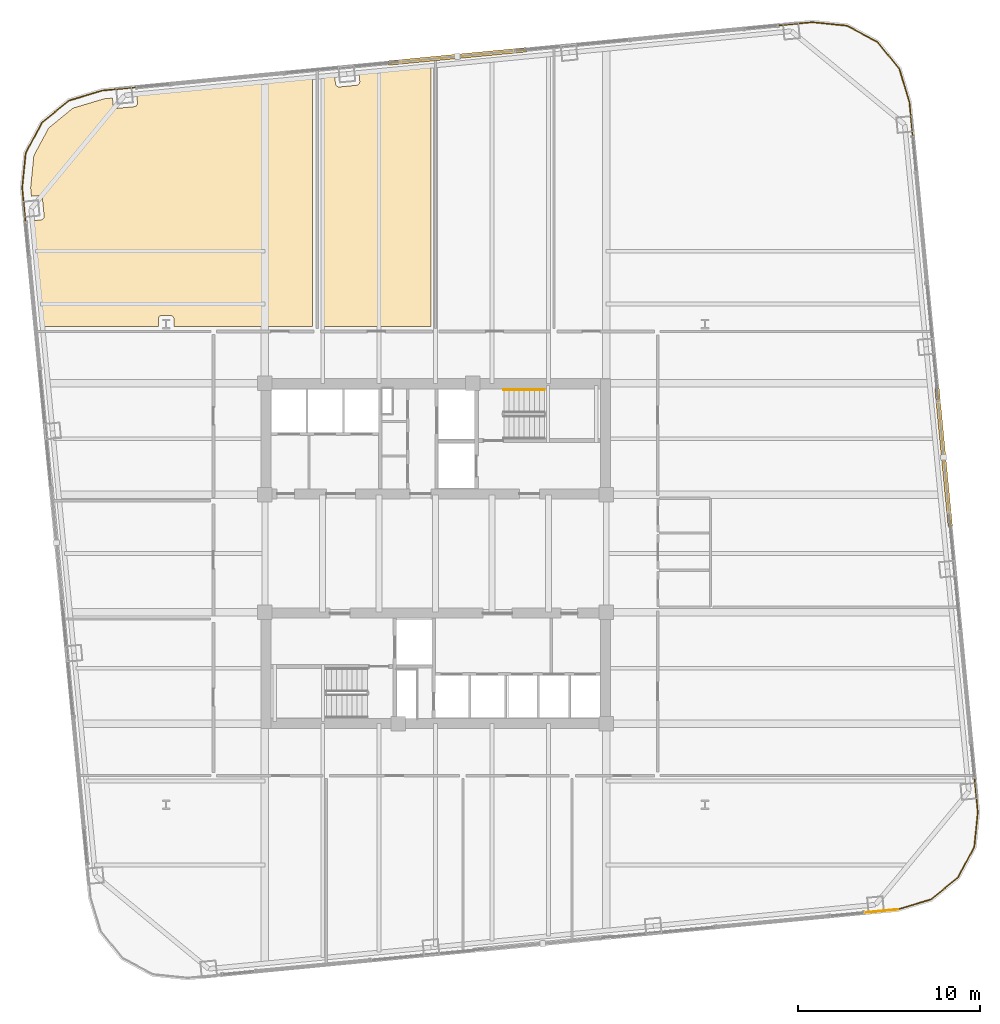
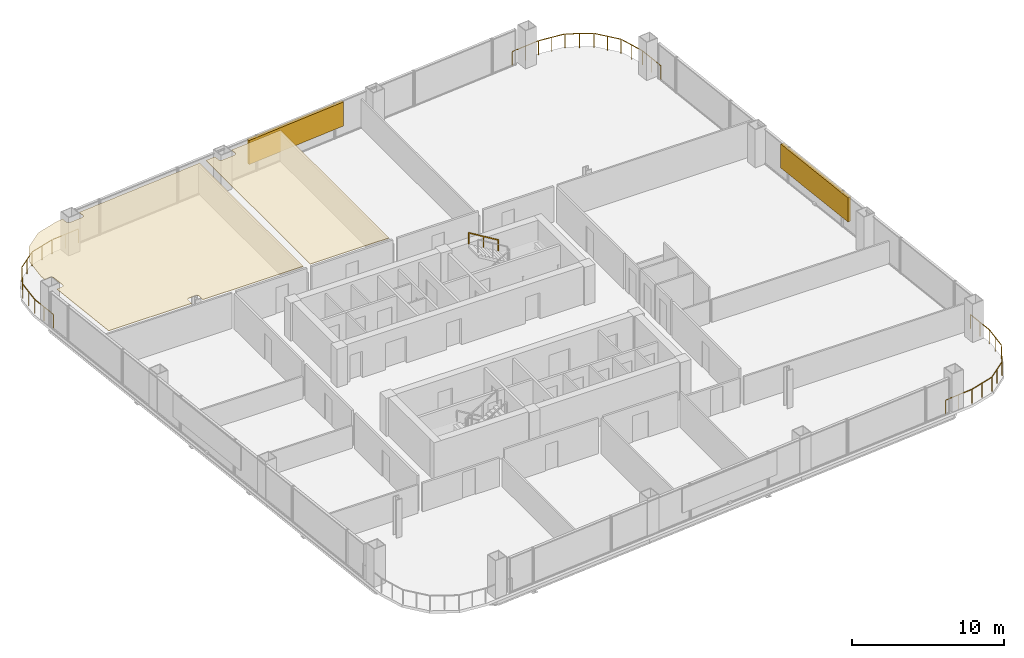
# One storey, part 28 of 28: 5 railings, 2 coverings, 2 shading devices.
"""IFC4 building model written with IfcOpenShell, lengths in metres."""

import ifcopenshell
import ifcopenshell.guid

model = None  # the IFC model being written
_history = None  # IfcOwnerHistory: only IFC2X3 demands one
_inside = {}  # id of a spatial element -> (the spatial element, [elements in it])
_under = {}  # id of a project, library or spatial element -> (it, [spatial elements below it])
_declared = {}  # id of a project -> (the project, [libraries it declares])
_typed = {}  # id of a type object -> (the type object, [elements of that type])
_made_of = {}  # id of a material, layer set ... -> (it, [elements and type objects made of it])


def new_model(schema):
    """Start an empty IFC model of exactly this schema.

    Asked for "IFC4X3", IfcOpenShell would pick the latest addendum, in which some entities
    have other attributes; the version numbers below select the first issue.
    IFC2X3 requires an IfcOwnerHistory on every rooted entity: one is made here for all.
    """
    global model, _history
    if schema == "IFC4X3":
        model = ifcopenshell.file(schema_version=(4, 3, 0, 0))
    else:
        model = ifcopenshell.file(schema=schema)
    _inside.clear()
    _under.clear()
    _declared.clear()
    _typed.clear()
    _made_of.clear()
    _history = None
    if model.schema == "IFC2X3":
        org = make("IfcOrganization", Name="unknown")
        user = make(
            "IfcPersonAndOrganization",
            ThePerson=make("IfcPerson", FamilyName="unknown"),
            TheOrganization=org,
        )
        app = make(
            "IfcApplication",
            ApplicationDeveloper=org,
            Version="unknown",
            ApplicationFullName="unknown",
            ApplicationIdentifier="unknown",
        )
        _history = make(
            "IfcOwnerHistory",
            OwningUser=user,
            OwningApplication=app,
            ChangeAction="ADDED",
            CreationDate=0,
        )
    return model


def make(cls, **values):
    """One entity of the class cls with the attributes given. An attribute that is None is left unset."""
    return model.create_entity(
        cls, **{name: value for name, value in values.items() if value is not None}
    )


def rooted(cls, **values):
    """An entity with a GlobalId (a new one), such as an element, a storey or a relation."""
    return make(cls, GlobalId=ifcopenshell.guid.new(), OwnerHistory=_history, **values)


def si_unit(unit_type, name, prefix=None):
    """IfcSIUnit, for example si_unit("LENGTHUNIT", "METRE", prefix="MILLI")."""
    return make("IfcSIUnit", UnitType=unit_type, Prefix=prefix, Name=name)


def assignment(units):
    """IfcUnitAssignment: the units of a project."""
    return None if units is None else make("IfcUnitAssignment", Units=units)


def point(xyz):
    """IfcCartesianPoint."""
    return None if xyz is None else make("IfcCartesianPoint", Coordinates=xyz)


def direction(xyz):
    """IfcDirection."""
    return None if xyz is None else make("IfcDirection", DirectionRatios=xyz)


def frame(location, z_axis=None, x_axis=None):
    """IfcAxis2Placement3D, a coordinate frame: its origin and axes. An axis left out is left unset."""
    return make(
        "IfcAxis2Placement3D",
        Location=point(location),
        Axis=direction(z_axis),
        RefDirection=direction(x_axis),
    )


def frame_2d(location, x_axis=None):
    """IfcAxis2Placement2D, a coordinate frame in the plane: its origin and x axis."""
    return make(
        "IfcAxis2Placement2D", Location=point(location), RefDirection=direction(x_axis)
    )


def origin():
    """The frame at (0, 0, 0) with its axes left unset."""
    return frame((0.0, 0.0, 0.0))


def origin_2d():
    """The frame at (0, 0) in the plane with its x axis left unset."""
    return frame_2d((0.0, 0.0))


def place(relative_to, where):
    """IfcLocalPlacement: puts the frame where relative to a parent placement (None: the world)."""
    return make(
        "IfcLocalPlacement", PlacementRelTo=relative_to, RelativePlacement=where
    )


def context(
    kind, dimensions, precision=None, world=None, true_north=None, identifier=None
):
    """IfcGeometricRepresentationContext, for example the 3D "Model" context."""
    return make(
        "IfcGeometricRepresentationContext",
        ContextIdentifier=identifier,
        ContextType=kind,
        CoordinateSpaceDimension=dimensions,
        Precision=precision,
        WorldCoordinateSystem=world,
        TrueNorth=true_north,
    )


def subcontext(parent, identifier, kind, view, scale=None):
    """IfcGeometricRepresentationSubContext, for example "Body" below "Model"."""
    return make(
        "IfcGeometricRepresentationSubContext",
        ContextIdentifier=identifier,
        ContextType=kind,
        ParentContext=parent,
        TargetScale=scale,
        TargetView=view,
    )


def project(units=None, contexts=None):
    """IfcProject with its units and contexts."""
    return rooted(
        "IfcProject",
        Name="project",
        RepresentationContexts=contexts,
        UnitsInContext=assignment(units),
    )


def spatial(cls, under=None, at=None, **own):
    """A site, building, storey or space (cls), placed at a placement, below another one or the project."""
    s = rooted(cls, ObjectPlacement=at, **own)
    if under is not None:
        _under.setdefault(under.id(), (under, []))[1].append(s)
    return s


def polyline(points):
    """IfcPolyline through the points."""
    return make("IfcPolyline", Points=[point(p) for p in points])


def profile(cls, at=None, kind="AREA", **sizes):
    """A parametric profile (cls). Its sizes go by their IFC names, for example OverallWidth=200.0."""
    return make(cls, ProfileType=kind, Position=at, **sizes)


def rectangle(**sizes):
    """IfcRectangleProfileDef."""
    return profile("IfcRectangleProfileDef", **sizes)


def outline(outer, holes=None, kind="AREA"):
    """IfcArbitraryClosedProfileDef: a profile drawn as a closed curve; with holes, ...WithVoids."""
    if holes is None:
        return make("IfcArbitraryClosedProfileDef", ProfileType=kind, OuterCurve=outer)
    return make(
        "IfcArbitraryProfileDefWithVoids",
        ProfileType=kind,
        OuterCurve=outer,
        InnerCurves=holes,
    )


def extrude(swept, where, along, depth):
    """IfcExtrudedAreaSolid: the profile swept, set in the frame where, extruded along a direction by depth."""
    return make(
        "IfcExtrudedAreaSolid",
        SweptArea=swept,
        Position=where,
        ExtrudedDirection=direction(along),
        Depth=depth,
    )


def shape(context_of_items, identifier, shape_type, items):
    """IfcShapeRepresentation: the items that make up one representation, for example the "Body"."""
    return make(
        "IfcShapeRepresentation",
        ContextOfItems=context_of_items,
        RepresentationIdentifier=identifier,
        RepresentationType=shape_type,
        Items=items,
    )


def material(Name=None, Category=None):
    """IfcMaterial."""
    return make("IfcMaterial", Name=Name, Category=Category)


def layer(
    of_material, thickness, ventilated=None, Name=None, Category=None, Priority=None
):
    """IfcMaterialLayer: one layer of a wall or slab, of a material (None: an air gap)."""
    return make(
        "IfcMaterialLayer",
        Material=of_material,
        LayerThickness=thickness,
        IsVentilated=ventilated,
        Name=Name,
        Category=Category,
        Priority=Priority,
    )


def layer_set(layers, Name=None):
    """IfcMaterialLayerSet."""
    return make("IfcMaterialLayerSet", MaterialLayers=layers, LayerSetName=Name)


def made_of(thing, what):
    """Note that an element or type object is made of a material, layer set ...; save() writes the relation."""
    if what is not None:
        _made_of.setdefault(what.id(), (what, []))[1].append(thing)
    return thing


def type_object(cls, material=None, **own):
    """A type object (cls), such as IfcWallType, which elements share."""
    return made_of(rooted(cls, **own), material)


def element(
    cls,
    number,
    at=None,
    inside=None,
    cuts=None,
    type_object=None,
    material=None,
    context=None,
    identifier="Body",
    shape_type=None,
    held_by="IfcProductDefinitionShape",
    body=None,
    shapes=None,
    **own,
):
    """One element of the class cls, such as IfcWall. Its Tag is "e" and its number.

    at: its placement. inside: the storey or other place that contains it. cuts: it is an
    opening in that element (IfcRelVoidsElement). A single representation is given by context,
    identifier, shape_type and body (its items); several are given by shapes. held_by: the class
    of the entity that holds the representations. save() writes the other relations.
    """
    e = rooted(cls, Tag="e%d" % number, ObjectPlacement=at, **own)
    if body is not None:
        shapes = [shape(context, identifier, shape_type, body)]
    if shapes is not None:
        e.Representation = make(held_by, Representations=shapes)
    if inside is not None:
        _inside.setdefault(inside.id(), (inside, []))[1].append(e)
    if cuts is not None:
        rooted(
            "IfcRelVoidsElement", RelatingBuildingElement=cuts, RelatedOpeningElement=e
        )
    if type_object is not None:
        _typed.setdefault(type_object.id(), (type_object, []))[1].append(e)
    return made_of(e, material)


def aggregate(whole, parts):
    """IfcRelAggregates: a whole, such as a stair, and the parts it consists of."""
    return rooted("IfcRelAggregates", RelatingObject=whole, RelatedObjects=parts)


def save(model, path):
    """Write the relations noted so far, then the file.

    IfcRelAggregates (storeys below a building ...), IfcRelContainedInSpatialStructure (elements
    in a storey), IfcRelDefinesByType, IfcRelAssociatesMaterial and IfcRelDeclares: one each for
    every whole, place, type object, material and project.
    """
    for whole, parts in _under.values():
        aggregate(whole, parts)
    for where, things in _inside.values():
        rooted(
            "IfcRelContainedInSpatialStructure",
            RelatedElements=things,
            RelatingStructure=where,
        )
    for kind, things in _typed.values():
        rooted("IfcRelDefinesByType", RelatedObjects=things, RelatingType=kind)
    for what, things in _made_of.values():
        rooted("IfcRelAssociatesMaterial", RelatedObjects=things, RelatingMaterial=what)
    for by, libraries in _declared.values():
        rooted("IfcRelDeclares", RelatingContext=by, RelatedDefinitions=libraries)
    model.write(path)


model = new_model("IFC4")

# Units and contexts
model_context = context("Model", 3, precision=1e-05, world=origin(), true_north=direction((0.0, 1.0)))
body_context = subcontext(model_context, "Body", "Model", "MODEL_VIEW")
ifc_project = project(units=[si_unit("LENGTHUNIT", "METRE"), si_unit("AREAUNIT", "SQUARE_METRE"), si_unit("VOLUMEUNIT", "CUBIC_METRE"), si_unit("PLANEANGLEUNIT", "RADIAN"), si_unit("MASSUNIT", "GRAM", prefix="KILO")], contexts=[model_context])

# Site, building, storey
site_placement = place(None, origin())
site = spatial("IfcSite", under=ifc_project, at=site_placement, CompositionType="ELEMENT")
building_placement = place(site_placement, origin())
building = spatial("IfcBuilding", under=site, at=building_placement, Name="Qhalaya Broadcast Tower", CompositionType="ELEMENT")
storey_placement = place(building_placement, frame((0.0, 0.0, 90.800048828125)))
storey = spatial("IfcBuildingStorey", under=building, at=storey_placement, Name="L26", CompositionType="ELEMENT", Elevation=90.800048828125)

# Coverings
ifc_material_1 = material(Name="Acoustic Mineral-Fibre Ceiling")
ifc_layer = layer(ifc_material_1, 0.0400390625, Name="Acoustic Mineral-Fibre Ceiling")
ifc_layer_set = layer_set([ifc_layer], Name="Acoustic Mineral-Fibre Ceiling")
covering_type = type_object("IfcCoveringType", Name="Acoustic Mineral-Fibre Suspended Ceiling CLG-01", PredefinedType="CEILING", material=ifc_layer_set)
covering_1_placement = place(storey_placement, frame((0.0, 0.0, 2.7900390625)))
element("IfcCovering", 1, at=covering_1_placement, inside=storey, type_object=covering_type, Name="L26 Acoustic Suspended Ceiling 01", PredefinedType="CEILING", context=body_context, shape_type="SweptSolid", body=[
    extrude(outline(polyline([(-22.06884765625, 18.885986328125), (-21.5078125, 13.06005859375), (-15.22900390625, 13.06005859375), (-15.22900390625, 13.47509765625), (-15.22802734375, 13.49462890625), (-15.22509765625, 13.513916015625), (-15.220458984375, 13.533203125), (-15.2138671875, 13.551513671875), (-15.205322265625, 13.5693359375), (-15.1953125, 13.586181640625), (-15.18359375, 13.601806640625), (-15.17041015625, 13.616455078125), (-15.156005859375, 13.629638671875), (-15.14013671875, 13.641357421875), (-15.123291015625, 13.6513671875), (-15.10546875, 13.659912109375), (-15.087158203125, 13.66650390625), (-15.068115234375, 13.671142578125), (-15.048583984375, 13.674072265625), (-15.029052734375, 13.675048828125), (-14.571044921875, 13.675048828125), (-14.551513671875, 13.674072265625), (-14.531982421875, 13.671142578125), (-14.512939453125, 13.66650390625), (-14.494384765625, 13.659912109375), (-14.476806640625, 13.6513671875), (-14.4599609375, 13.641357421875), (-14.444091796875, 13.629638671875), (-14.4296875, 13.616455078125), (-14.41650390625, 13.601806640625), (-14.40478515625, 13.586181640625), (-14.39453125, 13.5693359375), (-14.38623046875, 13.551513671875), (-14.379638671875, 13.533203125), (-14.374755859375, 13.513916015625), (-14.3720703125, 13.49462890625), (-14.37109375, 13.47509765625), (-14.37109375, 13.06005859375), (-6.760009765625, 13.06005859375), (-6.760009765625, 26.67919921875), (-16.41064453125, 25.75), (-16.373291015625, 25.36181640625), (-16.372314453125, 25.34228515625), (-16.373291015625, 25.32275390625), (-16.376220703125, 25.30322265625), (-16.381103515625, 25.2841796875), (-16.3876953125, 25.265869140625), (-16.39599609375, 25.248046875), (-16.40625, 25.231201171875), (-16.41796875, 25.215576171875), (-16.43115234375, 25.200927734375), (-16.44580078125, 25.187744140625), (-16.46142578125, 25.17626953125), (-16.478515625, 25.166015625), (-16.49609375, 25.15771484375), (-16.5146484375, 25.151123046875), (-16.53369140625, 25.146484375), (-16.552978515625, 25.1435546875), (-17.48876953125, 25.053466796875), (-17.50830078125, 25.052490234375), (-17.528076171875, 25.0537109375), (-17.54736328125, 25.056396484375), (-17.56640625, 25.061279296875), (-17.5849609375, 25.068115234375), (-17.602783203125, 25.076416015625), (-17.619384765625, 25.08642578125), (-17.63525390625, 25.098388671875), (-17.649658203125, 25.111572265625), (-17.662841796875, 25.126220703125), (-17.674560546875, 25.141845703125), (-17.6845703125, 25.15869140625), (-17.69287109375, 25.176513671875), (-17.699462890625, 25.19482421875), (-17.7041015625, 25.214111328125), (-17.70703125, 25.2333984375), (-17.744384765625, 25.62158203125), (-18.215087890625, 25.576416015625), (-19.918212890625, 25.063720703125), (-21.250244140625, 23.9755859375), (-22.064453125, 22.460205078125), (-22.242431640625, 20.69091796875), (-22.197265625, 20.219970703125), (-21.80908203125, 20.25732421875), (-21.789306640625, 20.25830078125), (-21.769775390625, 20.25732421875), (-21.75048828125, 20.25439453125), (-21.731201171875, 20.24951171875), (-21.712890625, 20.242919921875), (-21.695068359375, 20.234619140625), (-21.67822265625, 20.224365234375), (-21.66259765625, 20.212646484375), (-21.648193359375, 20.199462890625), (-21.635009765625, 20.184814453125), (-21.623291015625, 20.169189453125), (-21.61328125, 20.152099609375), (-21.60498046875, 20.134521484375), (-21.598388671875, 20.115966796875), (-21.593505859375, 20.096923828125), (-21.5908203125, 20.077392578125), (-21.50048828125, 19.141845703125), (-21.499755859375, 19.122314453125), (-21.500732421875, 19.1025390625), (-21.503662109375, 19.083251953125), (-21.50830078125, 19.064208984375), (-21.51513671875, 19.045654296875), (-21.5234375, 19.02783203125), (-21.53369140625, 19.010986328125), (-21.54541015625, 18.995361328125), (-21.55859375, 18.98095703125), (-21.5732421875, 18.9677734375), (-21.5888671875, 18.9560546875), (-21.605712890625, 18.946044921875), (-21.62353515625, 18.937744140625), (-21.64208984375, 18.93115234375), (-21.6611328125, 18.926513671875), (-21.680419921875, 18.923583984375), (-22.06884765625, 18.885986328125)])), origin(), (0.0, 0.0, 1.0), 0.039794921875),
])
covering_2_placement = place(storey_placement, frame((0.0, 0.0, 2.7900390625)))
element("IfcCovering", 2, at=covering_2_placement, inside=storey, type_object=covering_type, Name="L26 Acoustic Suspended Ceiling 02", PredefinedType="CEILING", context=body_context, shape_type="SweptSolid", body=[
    extrude(outline(polyline([(-6.239990234375, 26.7294921875), (-6.239990234375, 13.06005859375), (-0.260009765625, 13.06005859375), (-0.260009765625, 27.30517578125), (-4.200439453125, 26.92578125), (-4.1630859375, 26.53759765625), (-4.162109375, 26.51806640625), (-4.1630859375, 26.498291015625), (-4.166015625, 26.47900390625), (-4.1708984375, 26.4599609375), (-4.177490234375, 26.44140625), (-4.185791015625, 26.423583984375), (-4.196044921875, 26.406982421875), (-4.207763671875, 26.39111328125), (-4.220947265625, 26.376708984375), (-4.235595703125, 26.363525390625), (-4.251220703125, 26.351806640625), (-4.268310546875, 26.341796875), (-4.285888671875, 26.33349609375), (-4.304443359375, 26.326904296875), (-4.323486328125, 26.322265625), (-4.343017578125, 26.3193359375), (-5.278564453125, 26.229248046875), (-5.298095703125, 26.228271484375), (-5.31787109375, 26.229248046875), (-5.337158203125, 26.232177734375), (-5.356201171875, 26.237060546875), (-5.374755859375, 26.24365234375), (-5.392578125, 26.252197265625), (-5.4091796875, 26.26220703125), (-5.425048828125, 26.27392578125), (-5.439453125, 26.287109375), (-5.45263671875, 26.3017578125), (-5.46435546875, 26.3173828125), (-5.474365234375, 26.33447265625), (-5.482666015625, 26.352294921875), (-5.4892578125, 26.37060546875), (-5.493896484375, 26.3896484375), (-5.496826171875, 26.4091796875), (-5.5341796875, 26.79736328125), (-6.239990234375, 26.7294921875)])), origin(), (0.0, 0.0, 1.0), 0.039794921875),
])

# Railings
ifc_material_2 = material(Name="Powder-Coated Galvanised Steel", Category="steel")
railing_type_1 = type_object("IfcRailingType", Name="Stair Wall Handrail 900", PredefinedType="HANDRAIL", material=ifc_material_2)
railing_1_placement = place(storey_placement, frame((5.989990234375, 9.590087890625, 1.6943359375)))
element("IfcRailing", 3, at=railing_1_placement, inside=storey, type_object=railing_type_1, Name="L26 ST-1 Stair Handrail 2", PredefinedType="HANDRAIL", context=body_context, shape_type="SweptSolid", body=[
    extrude(rectangle(XDim=0.048095703125, YDim=0.048095703125, at=origin_2d()), frame((0.0, 0.0, 0.8759765625), z_axis=(-0.855512035549, 0.0, 0.517782924622), x_axis=(0.0, -1.0, 0.0)), (0.0, 0.0, 1.0), 2.618408203125),
    extrude(rectangle(XDim=0.0419921875, YDim=0.0419921875, at=origin_2d()), origin(), (0.0, 0.0, 1.0), 0.849853515625),
    extrude(rectangle(XDim=0.0419921875, YDim=0.0419921875, at=origin_2d()), frame((-1.1201171875, 0.0, 0.677734375)), (0.0, 0.0, 1.0), 0.849853515625),
    extrude(rectangle(XDim=0.0419921875, YDim=0.0419921875, at=origin_2d()), frame((-2.239990234375, 0.0, 1.355712890625)), (0.0, 0.0, 1.0), 0.849853515625),
])
railing_type_2 = type_object("IfcRailingType", Name="Terrace, Sky-Pool & Lookout Glass Balustrade 1150", PredefinedType="BALUSTRADE", material=ifc_material_2)
railing_2_placement = place(storey_placement, frame((25.38427734375, -18.949951171875, 0.0)))
element("IfcRailing", 4, at=railing_2_placement, inside=storey, type_object=railing_type_2, Name="L26 Rounded Corner Perimeter Guard 01", PredefinedType="BALUSTRADE", context=body_context, shape_type="SweptSolid", body=[
    extrude(rectangle(XDim=0.048095703125, YDim=0.048095703125, at=origin_2d()), frame((0.0, 0.0, 1.1259765625), z_axis=(-0.995402268864, -0.095782687057, 0.0), x_axis=(0.095782687057, -0.995402268864, 0.0)), (0.0, 0.0, 1.0), 2.1181640625),
    extrude(rectangle(XDim=0.0419921875, YDim=0.0419921875, at=origin_2d()), origin(), (0.0, 0.0, 1.0), 1.099853515625),
    extrude(rectangle(XDim=0.0419921875, YDim=0.0419921875, at=origin_2d()), frame((-1.05419921875, -0.1015625, 0.0)), (0.0, 0.0, 1.0), 1.099853515625),
    extrude(rectangle(XDim=0.0419921875, YDim=0.0419921875, at=origin_2d()), frame((-2.1083984375, -0.202880859375, 0.0)), (0.0, 0.0, 1.0), 1.099853515625),
])
railing_3_placement = place(storey_placement, frame((-22.501708984375, 18.583251953125, 0.0)))
element("IfcRailing", 5, at=railing_3_placement, inside=storey, type_object=railing_type_2, Name="L26 Rounded Corner Perimeter Guard 03", PredefinedType="BALUSTRADE", context=body_context, shape_type="SweptSolid", body=[
    extrude(rectangle(XDim=0.048095703125, YDim=0.048095703125, at=origin_2d()), frame((0.0, 0.0, 1.1259765625), z_axis=(-0.095782687057, 0.995402268864, 0.0), x_axis=(-0.995402268864, -0.095782687057, 0.0)), (0.0, 0.0, 1.0), 2.08935546875),
    extrude(rectangle(XDim=0.048095703125, YDim=0.048095703125, at=origin_2d()), frame((-0.199951171875, 2.13720703125, 1.1259765625), z_axis=(0.100071682341, 0.994980230152, 0.0), x_axis=(-0.994980230152, 0.100071682341, 0.0)), (0.0, 0.0, 1.0), 1.857421875),
    extrude(rectangle(XDim=0.048095703125, YDim=0.048095703125, at=origin_2d()), frame((0.00244140625, 4.039306640625, 1.1259765625), z_axis=(0.473342342286, 0.880878554058, 0.0), x_axis=(-0.880878554058, 0.473342342286, 0.0)), (0.0, 0.0, 1.0), 1.845458984375),
    extrude(rectangle(XDim=0.048095703125, YDim=0.048095703125, at=origin_2d()), frame((0.912109375, 5.708740234375, 1.1259765625), z_axis=(0.774420039683, 0.632671796541, 0.0), x_axis=(-0.632671796541, 0.774420039683, 0.0)), (0.0, 0.0, 1.0), 1.845458984375),
    extrude(rectangle(XDim=0.048095703125, YDim=0.048095703125, at=origin_2d()), frame((2.39111328125, 6.90283203125, 1.1259765625), z_axis=(0.95756627332, 0.288213171456, 0.0), x_axis=(-0.288213171456, 0.95756627332, 0.0)), (0.0, 0.0, 1.0), 1.857421875),
    extrude(rectangle(XDim=0.048095703125, YDim=0.048095703125, at=origin_2d()), frame((4.226318359375, 7.44921875, 1.1259765625), z_axis=(0.995391273094, 0.095896889673, 0.0), x_axis=(-0.095896889673, 0.995391273094, 0.0)), (0.0, 0.0, 1.0), 2.08935546875),
    extrude(rectangle(XDim=0.0419921875, YDim=0.0419921875, at=origin_2d()), origin(), (0.0, 0.0, 1.0), 1.099853515625),
    extrude(rectangle(XDim=0.0419921875, YDim=0.0419921875, at=origin_2d()), frame((-0.1015625, 1.05419921875, 0.0)), (0.0, 0.0, 1.0), 1.099853515625),
    extrude(rectangle(XDim=0.0419921875, YDim=0.0419921875, at=origin_2d()), frame((-0.202880859375, 2.1083984375, 0.0)), (0.0, 0.0, 1.0), 1.099853515625),
    extrude(rectangle(XDim=0.0419921875, YDim=0.0419921875, at=origin_2d()), frame((-0.10693359375, 3.06103515625, 0.0)), (0.0, 0.0, 1.0), 1.099853515625),
    extrude(rectangle(XDim=0.0419921875, YDim=0.0419921875, at=origin_2d()), frame((-0.01123046875, 4.013916015625, 0.0)), (0.0, 0.0, 1.0), 1.099853515625),
    extrude(rectangle(XDim=0.0419921875, YDim=0.0419921875, at=origin_2d()), frame((0.439208984375, 4.85205078125, 0.0)), (0.0, 0.0, 1.0), 1.099853515625),
    extrude(rectangle(XDim=0.0419921875, YDim=0.0419921875, at=origin_2d()), frame((0.8896484375, 5.6904296875, 0.0)), (0.0, 0.0, 1.0), 1.099853515625),
    extrude(rectangle(XDim=0.0419921875, YDim=0.0419921875, at=origin_2d()), frame((1.62646484375, 6.29248046875, 0.0)), (0.0, 0.0, 1.0), 1.099853515625),
    extrude(rectangle(XDim=0.0419921875, YDim=0.0419921875, at=origin_2d()), frame((2.363525390625, 6.89453125, 0.0)), (0.0, 0.0, 1.0), 1.099853515625),
    extrude(rectangle(XDim=0.0419921875, YDim=0.0419921875, at=origin_2d()), frame((3.280517578125, 7.17041015625, 0.0)), (0.0, 0.0, 1.0), 1.099853515625),
    extrude(rectangle(XDim=0.0419921875, YDim=0.0419921875, at=origin_2d()), frame((4.197509765625, 7.446533203125, 0.0)), (0.0, 0.0, 1.0), 1.099853515625),
    extrude(rectangle(XDim=0.0419921875, YDim=0.0419921875, at=origin_2d()), frame((5.251708984375, 7.548095703125, 0.0)), (0.0, 0.0, 1.0), 1.099853515625),
    extrude(rectangle(XDim=0.0419921875, YDim=0.0419921875, at=origin_2d()), frame((6.305908203125, 7.649658203125, 0.0)), (0.0, 0.0, 1.0), 1.099853515625),
])
railing_4_placement = place(storey_placement, frame((18.583251953125, 29.581787109375, 0.0)))
element("IfcRailing", 6, at=railing_4_placement, inside=storey, type_object=railing_type_2, Name="L26 Rounded Corner Perimeter Guard 04", PredefinedType="BALUSTRADE", context=body_context, shape_type="SweptSolid", body=[
    extrude(rectangle(XDim=0.048095703125, YDim=0.048095703125, at=origin_2d()), frame((0.0, 0.0, 1.1259765625), z_axis=(0.995402268864, 0.095782687057, 0.0), x_axis=(-0.095782687057, 0.995402268864, 0.0)), (0.0, 0.0, 1.0), 2.08935546875),
    extrude(rectangle(XDim=0.048095703125, YDim=0.048095703125, at=origin_2d()), frame((2.13720703125, 0.199951171875, 1.1259765625), z_axis=(0.994980230152, -0.100071682341, 0.0), x_axis=(0.100071682341, 0.994980230152, 0.0)), (0.0, 0.0, 1.0), 1.857421875),
    extrude(rectangle(XDim=0.048095703125, YDim=0.048095703125, at=origin_2d()), frame((4.039306640625, -0.00244140625, 1.1259765625), z_axis=(0.880878554058, -0.473342342286, 0.0), x_axis=(0.473342342286, 0.880878554058, 0.0)), (0.0, 0.0, 1.0), 1.845458984375),
    extrude(rectangle(XDim=0.048095703125, YDim=0.048095703125, at=origin_2d()), frame((5.708740234375, -0.912109375, 1.1259765625), z_axis=(0.632671796541, -0.774420039683, 0.0), x_axis=(0.774420039683, 0.632671796541, 0.0)), (0.0, 0.0, 1.0), 1.845458984375),
    extrude(rectangle(XDim=0.048095703125, YDim=0.048095703125, at=origin_2d()), frame((6.90283203125, -2.39111328125, 1.1259765625), z_axis=(0.288213171456, -0.95756627332, 0.0), x_axis=(0.95756627332, 0.288213171456, 0.0)), (0.0, 0.0, 1.0), 1.857421875),
    extrude(rectangle(XDim=0.048095703125, YDim=0.048095703125, at=origin_2d()), frame((7.44921875, -4.226318359375, 1.1259765625), z_axis=(0.095896889673, -0.995391273094, 0.0), x_axis=(0.995391273094, 0.095896889673, 0.0)), (0.0, 0.0, 1.0), 2.08935546875),
    extrude(rectangle(XDim=0.0419921875, YDim=0.0419921875, at=origin_2d()), origin(), (0.0, 0.0, 1.0), 1.099853515625),
    extrude(rectangle(XDim=0.0419921875, YDim=0.0419921875, at=origin_2d()), frame((1.05419921875, 0.1015625, 0.0)), (0.0, 0.0, 1.0), 1.099853515625),
    extrude(rectangle(XDim=0.0419921875, YDim=0.0419921875, at=origin_2d()), frame((2.1083984375, 0.202880859375, 0.0)), (0.0, 0.0, 1.0), 1.099853515625),
    extrude(rectangle(XDim=0.0419921875, YDim=0.0419921875, at=origin_2d()), frame((3.06103515625, 0.10693359375, 0.0)), (0.0, 0.0, 1.0), 1.099853515625),
    extrude(rectangle(XDim=0.0419921875, YDim=0.0419921875, at=origin_2d()), frame((4.013916015625, 0.01123046875, 0.0)), (0.0, 0.0, 1.0), 1.099853515625),
    extrude(rectangle(XDim=0.0419921875, YDim=0.0419921875, at=origin_2d()), frame((4.85205078125, -0.439208984375, 0.0)), (0.0, 0.0, 1.0), 1.099853515625),
    extrude(rectangle(XDim=0.0419921875, YDim=0.0419921875, at=origin_2d()), frame((5.6904296875, -0.8896484375, 0.0)), (0.0, 0.0, 1.0), 1.099853515625),
    extrude(rectangle(XDim=0.0419921875, YDim=0.0419921875, at=origin_2d()), frame((6.29248046875, -1.62646484375, 0.0)), (0.0, 0.0, 1.0), 1.099853515625),
    extrude(rectangle(XDim=0.0419921875, YDim=0.0419921875, at=origin_2d()), frame((6.89453125, -2.363525390625, 0.0)), (0.0, 0.0, 1.0), 1.099853515625),
    extrude(rectangle(XDim=0.0419921875, YDim=0.0419921875, at=origin_2d()), frame((7.17041015625, -3.280517578125, 0.0)), (0.0, 0.0, 1.0), 1.099853515625),
    extrude(rectangle(XDim=0.0419921875, YDim=0.0419921875, at=origin_2d()), frame((7.446533203125, -4.197509765625, 0.0)), (0.0, 0.0, 1.0), 1.099853515625),
    extrude(rectangle(XDim=0.0419921875, YDim=0.0419921875, at=origin_2d()), frame((7.548095703125, -5.251708984375, 0.0)), (0.0, 0.0, 1.0), 1.099853515625),
    extrude(rectangle(XDim=0.0419921875, YDim=0.0419921875, at=origin_2d()), frame((7.649658203125, -6.305908203125, 0.0)), (0.0, 0.0, 1.0), 1.099853515625),
])
railing_5_placement = place(storey_placement, frame((29.581787109375, -11.50341796875, 0.0)))
element("IfcRailing", 7, at=railing_5_placement, inside=storey, type_object=railing_type_2, Name="L26 Rounded Corner Perimeter Guard 05", PredefinedType="BALUSTRADE", context=body_context, shape_type="SweptSolid", body=[
    extrude(rectangle(XDim=0.048095703125, YDim=0.048095703125, at=origin_2d()), frame((0.0, 0.0, 1.1259765625), z_axis=(0.095782687057, -0.995402268864, 0.0), x_axis=(0.995402268864, 0.095782687057, 0.0)), (0.0, 0.0, 1.0), 2.08935546875),
    extrude(rectangle(XDim=0.048095703125, YDim=0.048095703125, at=origin_2d()), frame((0.199951171875, -2.13720703125, 1.1259765625), z_axis=(-0.100084377028, -0.994978953282, 0.0), x_axis=(0.994978953282, -0.100084377028, 0.0)), (0.0, 0.0, 1.0), 1.857177734375),
    extrude(rectangle(XDim=0.048095703125, YDim=0.048095703125, at=origin_2d()), frame((-0.00244140625, -4.0390625, 1.1259765625), z_axis=(-0.473288861424, -0.880907290044, 0.0), x_axis=(0.880907290044, -0.473288861424, 0.0)), (0.0, 0.0, 1.0), 1.845703125),
    extrude(rectangle(XDim=0.048095703125, YDim=0.048095703125, at=origin_2d()), frame((-0.912109375, -5.708740234375, 1.1259765625), z_axis=(-0.774420039683, -0.632671796541, 0.0), x_axis=(0.632671796541, -0.774420039683, 0.0)), (0.0, 0.0, 1.0), 1.845458984375),
    extrude(rectangle(XDim=0.048095703125, YDim=0.048095703125, at=origin_2d()), frame((-2.39111328125, -6.90283203125, 1.1259765625), z_axis=(-0.95756627332, -0.288213171456, 0.0), x_axis=(0.288213171456, -0.95756627332, 0.0)), (0.0, 0.0, 1.0), 1.886474609375),
    extrude(rectangle(XDim=0.0419921875, YDim=0.0419921875, at=origin_2d()), origin(), (0.0, 0.0, 1.0), 1.099853515625),
    extrude(rectangle(XDim=0.0419921875, YDim=0.0419921875, at=origin_2d()), frame((0.1015625, -1.05419921875, 0.0)), (0.0, 0.0, 1.0), 1.099853515625),
    extrude(rectangle(XDim=0.0419921875, YDim=0.0419921875, at=origin_2d()), frame((0.202880859375, -2.1083984375, 0.0)), (0.0, 0.0, 1.0), 1.099853515625),
    extrude(rectangle(XDim=0.0419921875, YDim=0.0419921875, at=origin_2d()), frame((0.10693359375, -3.06103515625, 0.0)), (0.0, 0.0, 1.0), 1.099853515625),
    extrude(rectangle(XDim=0.0419921875, YDim=0.0419921875, at=origin_2d()), frame((0.01123046875, -4.013671875, 0.0)), (0.0, 0.0, 1.0), 1.099853515625),
    extrude(rectangle(XDim=0.0419921875, YDim=0.0419921875, at=origin_2d()), frame((-0.439208984375, -4.85205078125, 0.0)), (0.0, 0.0, 1.0), 1.099853515625),
    extrude(rectangle(XDim=0.0419921875, YDim=0.0419921875, at=origin_2d()), frame((-0.8896484375, -5.6904296875, 0.0)), (0.0, 0.0, 1.0), 1.099853515625),
    extrude(rectangle(XDim=0.0419921875, YDim=0.0419921875, at=origin_2d()), frame((-1.62646484375, -6.29248046875, 0.0)), (0.0, 0.0, 1.0), 1.099853515625),
    extrude(rectangle(XDim=0.0419921875, YDim=0.0419921875, at=origin_2d()), frame((-2.363525390625, -6.89453125, 0.0)), (0.0, 0.0, 1.0), 1.099853515625),
    extrude(rectangle(XDim=0.0419921875, YDim=0.0419921875, at=origin_2d()), frame((-3.280517578125, -7.17041015625, 0.0)), (0.0, 0.0, 1.0), 1.099853515625),
    extrude(rectangle(XDim=0.0419921875, YDim=0.0419921875, at=origin_2d()), frame((-4.197509765625, -7.446533203125, 0.0)), (0.0, 0.0, 1.0), 1.099853515625),
])

# Shading devices
ifc_material_3 = material(Name="Fired Architectural Terracotta", Category="masonry")
shading_device_type = type_object("IfcShadingDeviceType", Name="Terracotta Baguette Solar Screen Assembly TBS-01", PredefinedType="USERDEFINED", material=ifc_material_3)
for number, where, z_axis, x_axis, name in (
    (8, (27.9072265625, 5.88623046875, 0.79248046875), (0.0, 0.0, 1.0), (-0.09584575252, 0.995396198367, 0.0), "L26 Fired Terracotta Baguette Screen E"),
    (9, (1.193603515625, 27.9072265625, 0.79248046875), (0.0, 0.0, 1.0), (-0.995396198367, -0.09584575252, 0.0), "L26 Fired Terracotta Baguette Screen N"),
):
    element("IfcShadingDevice", number, at=place(storey_placement, frame(where, z_axis=z_axis, x_axis=x_axis)), inside=storey, type_object=shading_device_type, Name=name, ObjectType="BAGUETTE", PredefinedType="USERDEFINED", context=body_context, shape_type="SweptSolid", body=[
        extrude(rectangle(XDim=7.60009765625, YDim=0.239990234375, at=origin_2d()), origin(), (0.0, 0.0, 1.0), 1.924072265625),
    ])

save(model, "model.ifc")
